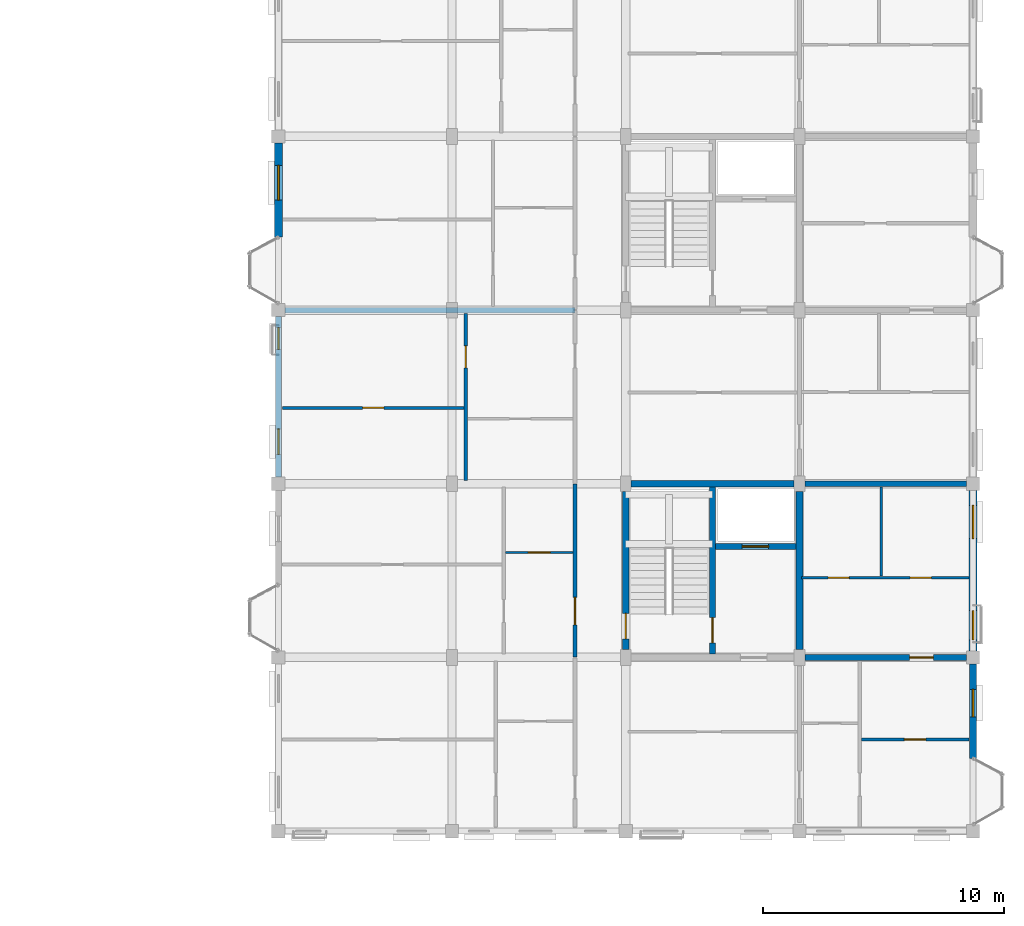
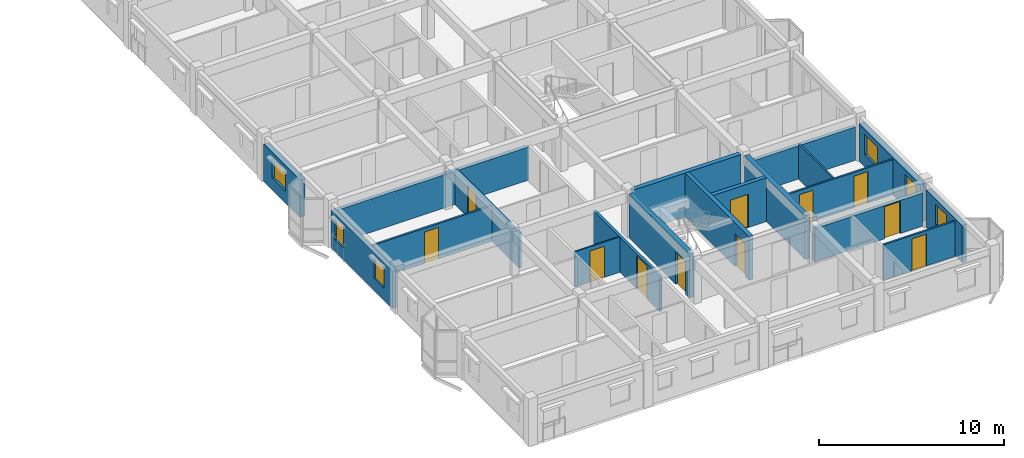
# One storey, part 61 of 79: 19 walls, 11 doors, 6 windows, 17 openings.
"""IFC4 building model written with IfcOpenShell, lengths in metres."""

from ifc_helpers import new_model, si_unit, direction, frame, frame_2d, origin, place, context, subcontext, project, spatial, rectangle, extrude, material, layer, layer_set, type_object, element, fill, save


model = new_model("IFC4")

# Units and contexts
model_context = context("Model", 3, precision=1e-05, world=origin(), true_north=direction((0.0, 1.0)))
body_context = subcontext(model_context, "Body", "Model", "MODEL_VIEW")
ifc_project = project(units=[si_unit("LENGTHUNIT", "METRE"), si_unit("AREAUNIT", "SQUARE_METRE"), si_unit("VOLUMEUNIT", "CUBIC_METRE"), si_unit("PLANEANGLEUNIT", "RADIAN"), si_unit("MASSUNIT", "GRAM", prefix="KILO"), si_unit("THERMODYNAMICTEMPERATUREUNIT", "KELVIN"), si_unit("POWERUNIT", "WATT")], contexts=[model_context])

# Site, building, storey
site_placement = place(None, origin())
site = spatial("IfcSite", under=ifc_project, at=site_placement, CompositionType="ELEMENT")
building_placement = place(site_placement, origin())
building = spatial("IfcBuilding", under=site, at=building_placement, Name="Tavuni Mirador Residences", CompositionType="ELEMENT")
storey_placement = place(building_placement, frame((0.0, 0.0, 13.949951171875)))
storey = spatial("IfcBuildingStorey", under=building, at=storey_placement, Name="L04", CompositionType="ELEMENT", Elevation=13.949951171875)

# Wall, opening, door
ifc_material_1 = material(Name="Precast concrete C40/50", Category="concrete")
ifc_layer_1 = layer(ifc_material_1, 0.25, Name="Precast concrete C40/50", Category="concrete")
ifc_layer_set_1 = layer_set([ifc_layer_1], Name="Precast concrete C40/50")
wall_type_1 = type_object("IfcWallType", Name="WT-COR250", PredefinedType="SHEAR", material=ifc_layer_set_1)
wall_1_placement = place(storey_placement, frame((108.0, 93.739990234375, 0.0), z_axis=(0.0, 0.0, 1.0), x_axis=(0.0, 1.0, 0.0)))
wall_1 = element("IfcWall", 1, at=wall_1_placement, inside=storey, type_object=wall_type_1, Name="CWALL-C7-L04-MID", PredefinedType="SHEAR", context=body_context, shape_type="SweptSolid", body=[
    extrude(rectangle(XDim=6.919921875, YDim=0.25, at=frame_2d((3.4599609375, 0.0))), origin(), (0.0, 0.0, 1.0), 2.89013671875),
])
opening_1_placement = place(wall_1_placement, frame((0.4599609375, 0.0, 0.0)))
opening_1 = element("IfcOpeningElement", 2, at=opening_1_placement, cuts=wall_1, Name="Opening D-01", PredefinedType="OPENING", context=body_context, shape_type="SweptSolid", body=[
    extrude(rectangle(XDim=1.050048828125, YDim=2.14990234375, at=frame_2d((0.52490234375, 1.074951171875))), frame((0.0, 0.135009765625, 0.0), z_axis=(0.0, -1.0, 0.0), x_axis=(1.0, 0.0, 0.0)), (0.0, 0.0, 1.0), 0.27001953125),
])
ifc_material_2 = material(Name="Solid core iroko timber", Category="wood")
door_type_1 = type_object("IfcDoorType", Name="DT-ST1050", OperationType="NOTDEFINED", PredefinedType="DOOR", material=ifc_material_2)
door_1_placement = place(opening_1_placement, origin())
door_1 = element("IfcDoor", 3, at=door_1_placement, inside=storey, type_object=door_type_1, Name="DR-2283", OperationType="SINGLE_SWING_LEFT", OverallHeight=2.14990234375, OverallWidth=1.050048828125, PredefinedType="DOOR", context=body_context, shape_type="SweptSolid", body=[
    extrude(rectangle(XDim=1.050048828125, YDim=2.14990234375, at=frame_2d((0.52490234375, 1.074951171875))), frame((0.0, 0.02490234375, 0.0), z_axis=(0.0, -1.0, 0.0), x_axis=(1.0, 0.0, 0.0)), (0.0, 0.0, 1.0), 0.050048828125),
])
fill(opening_1, door_1)

wall_2_placement = place(storey_placement, frame((108.125, 98.199951171875, 0.0), z_axis=(0.0, 0.0, 1.0), x_axis=(1.0, 0.0, 0.0)))
wall_2 = element("IfcWall", 4, at=wall_2_placement, inside=storey, type_object=wall_type_1, Name="CWALL-C7-L04-SHF", PredefinedType="SHEAR", context=body_context, shape_type="SweptSolid", body=[
    extrude(rectangle(XDim=3.3349609375, YDim=0.25, at=frame_2d((1.66748046875, 0.0))), origin(), (0.0, 0.0, 1.0), 2.89013671875),
])
opening_2_placement = place(wall_2_placement, frame((1.10009765625, 0.0, 0.0)))
opening_2 = element("IfcOpeningElement", 5, at=opening_2_placement, cuts=wall_2, Name="Opening LD-01", PredefinedType="OPENING", context=body_context, shape_type="SweptSolid", body=[
    extrude(rectangle(XDim=1.10009765625, YDim=2.199951171875, at=frame_2d((0.550048828125, 1.10009765625))), frame((0.0, 0.135009765625, 0.0), z_axis=(0.0, -1.0, 0.0), x_axis=(1.0, 0.0, 0.0)), (0.0, 0.0, 1.0), 0.27001953125),
])
ifc_material_3 = material(Name="Structural steel S355", Category="steel")
door_type_2 = type_object("IfcDoorType", Name="DT-LD-FF", OperationType="SLIDING_TO_LEFT", PredefinedType="DOOR", material=ifc_material_3)
door_2_placement = place(opening_2_placement, origin())
door_2 = element("IfcDoor", 6, at=door_2_placement, inside=storey, type_object=door_type_2, Name="Lift landing door FL-D1 L04", OperationType="SLIDING_TO_LEFT", OverallHeight=2.199951171875, OverallWidth=1.10009765625, PredefinedType="DOOR", context=body_context, shape_type="SweptSolid", body=[
    extrude(rectangle(XDim=1.10009765625, YDim=2.199951171875, at=frame_2d((0.550048828125, 1.10009765625))), frame((0.0, 0.02490234375, 0.0), z_axis=(0.0, -1.0, 0.0), x_axis=(1.0, 0.0, 0.0)), (0.0, 0.0, 1.0), 0.050048828125),
])
fill(opening_2, door_2)

ifc_layer_2 = layer(ifc_material_1, 0.280029296875, Name="Precast concrete C40/50", Category="concrete")
ifc_layer_set_2 = layer_set([ifc_layer_2], Name="Precast concrete C40/50")
wall_type_2 = type_object("IfcWallType", Name="WT-COR280", PredefinedType="SHEAR", material=ifc_layer_set_2)
wall_3_placement = place(storey_placement, frame((104.39990234375, 93.925048828125, 0.0), z_axis=(0.0, 0.0, 1.0), x_axis=(0.0, 1.0, 0.0)))
wall_3 = element("IfcWall", 7, at=wall_3_placement, inside=storey, type_object=wall_type_2, Name="CWALL-C7-L04-W", PredefinedType="SHEAR", context=body_context, shape_type="SweptSolid", body=[
    extrude(rectangle(XDim=6.550048828125, YDim=0.280029296875, at=frame_2d((3.27490234375, 0.0))), origin(), (0.0, 0.0, 1.0), 2.89013671875),
])
opening_3_placement = place(wall_3_placement, frame((0.449951171875, 0.0, 0.0)))
opening_3 = element("IfcOpeningElement", 8, at=opening_3_placement, cuts=wall_3, Name="Opening D-01", PredefinedType="OPENING", context=body_context, shape_type="SweptSolid", body=[
    extrude(rectangle(XDim=1.050048828125, YDim=2.14990234375, at=frame_2d((0.52490234375, 1.074951171875))), frame((0.0, 0.14990234375, 0.0), z_axis=(0.0, -1.0, 0.0), x_axis=(1.0, 0.0, 0.0)), (0.0, 0.0, 1.0), 0.300048828125),
])
door_3_placement = place(opening_3_placement, origin())
door_3 = element("IfcDoor", 9, at=door_3_placement, inside=storey, type_object=door_type_1, Name="DR-2281", OperationType="SINGLE_SWING_RIGHT", OverallHeight=2.14990234375, OverallWidth=1.050048828125, PredefinedType="DOOR", context=body_context, shape_type="SweptSolid", body=[
    extrude(rectangle(XDim=1.050048828125, YDim=2.14990234375, at=frame_2d((0.52490234375, 1.074951171875))), frame((0.0, 0.02490234375, 0.0), z_axis=(0.0, -1.0, 0.0), x_axis=(1.0, 0.0, 0.0)), (0.0, 0.0, 1.0), 0.050048828125),
])
fill(opening_3, door_3)

# Walls
wall_4_placement = place(storey_placement, frame((104.625, 100.800048828125, 0.0), z_axis=(0.0, 0.0, 1.0), x_axis=(1.0, 0.0, 0.0)))
element("IfcWall", 10, at=wall_4_placement, inside=storey, type_object=wall_type_2, Name="CWALL-C7-L04-N", PredefinedType="SHEAR", context=body_context, shape_type="SweptSolid", body=[
    extrude(rectangle(XDim=6.75, YDim=0.280029296875, at=frame_2d((3.375, 0.0))), origin(), (0.0, 0.0, 1.0), 2.89013671875),
])
wall_5_placement = place(storey_placement, frame((111.60009765625, 93.925048828125, 0.0), z_axis=(0.0, 0.0, 1.0), x_axis=(0.0, 1.0, 0.0)))
element("IfcWall", 11, at=wall_5_placement, inside=storey, type_object=wall_type_2, Name="CWALL-C7-L04-E", PredefinedType="SHEAR", context=body_context, shape_type="SweptSolid", body=[
    extrude(rectangle(XDim=6.550048828125, YDim=0.280029296875, at=frame_2d((3.27490234375, 0.0))), origin(), (0.0, 0.0, 1.0), 2.89013671875),
])

# Wall, opening, door
ifc_layer_3 = layer(ifc_material_1, 0.1650390625, Name="Precast concrete C40/50", Category="concrete")
ifc_layer_set_3 = layer_set([ifc_layer_3], Name="Precast concrete C40/50")
wall_type_3 = type_object("IfcWallType", Name="WT-CORR165", PredefinedType="PARTITIONING", material=ifc_layer_set_3)
wall_6_placement = place(storey_placement, frame((102.300048828125, 93.6201171875, 0.0), z_axis=(0.0, 0.0, 1.0), x_axis=(0.0, 1.0, 0.0)))
wall_6 = element("IfcWall", 12, at=wall_6_placement, inside=storey, type_object=wall_type_3, Name="CORW-BLK-D-L04-0-01", PredefinedType="PARTITIONING", context=body_context, shape_type="SweptSolid", body=[
    extrude(rectangle(XDim=7.159912109375, YDim=0.1650390625, at=frame_2d((3.580078125, 0.0))), origin(), (0.0, 0.0, 1.0), 2.324951171875),
])
opening_4_placement = place(wall_6_placement, frame((1.330078125, 0.0, 0.0)))
opening_4 = element("IfcOpeningElement", 13, at=opening_4_placement, cuts=wall_6, Name="Opening D-20", PredefinedType="OPENING", context=body_context, shape_type="SweptSolid", body=[
    extrude(rectangle(XDim=1.139892578125, YDim=2.179931640625, at=frame_2d((0.56982421875, 1.08984375))), frame((0.0, 0.092529296875, 0.0), z_axis=(0.0, -1.0, 0.0), x_axis=(1.0, 0.0, 0.0)), (0.0, 0.0, 1.0), 0.18505859375),
])
door_type_3 = type_object("IfcDoorType", Name="DT-FD60-1140", OperationType="NOTDEFINED", PredefinedType="DOOR", material=ifc_material_2)
door_4_placement = place(opening_4_placement, origin())
door_4 = element("IfcDoor", 14, at=door_4_placement, inside=storey, type_object=door_type_3, Name="DR-2858", OperationType="SINGLE_SWING_LEFT", OverallHeight=2.179931640625, OverallWidth=1.139892578125, PredefinedType="DOOR", context=body_context, shape_type="SweptSolid", body=[
    extrude(rectangle(XDim=1.139892578125, YDim=2.179931640625, at=frame_2d((0.56982421875, 1.08984375))), frame((0.0, 0.02490234375, 0.0), z_axis=(0.0, -1.0, 0.0), x_axis=(1.0, 0.0, 0.0)), (0.0, 0.0, 1.0), 0.050048828125),
])
fill(opening_4, door_4)

# Wall, opening, window
ifc_layer_4 = layer(ifc_material_1, 0.330078125, Name="Precast concrete C40/50", Category="concrete")
ifc_layer_set_4 = layer_set([ifc_layer_4], Name="Precast concrete C40/50")
wall_type_4 = type_object("IfcWallType", Name="WT-EXT-COR330", PredefinedType="SOLIDWALL", material=ifc_layer_set_4)
wall_7_placement = place(storey_placement, frame((90.0, 114.925048828125, 0.0), z_axis=(0.0, 0.0, 1.0), x_axis=(0.0, -1.0, 0.0)))
wall_7 = element("IfcWall", 15, at=wall_7_placement, inside=storey, type_object=wall_type_4, Name="EW-BLK-D-L04-W03", PredefinedType="SOLIDWALL", context=body_context, shape_type="SweptSolid", body=[
    extrude(rectangle(XDim=3.905029296875, YDim=0.330078125, at=frame_2d((1.95263671875, 0.0))), origin(), (0.0, 0.0, 1.0), 2.4599609375),
])
opening_5_placement = place(wall_7_placement, frame((0.922607421875, 0.0, 0.780029296875)))
opening_5 = element("IfcOpeningElement", 16, at=opening_5_placement, cuts=wall_7, Name="Opening WN-16", PredefinedType="OPENING", context=body_context, shape_type="SweptSolid", body=[
    extrude(rectangle(XDim=1.43994140625, YDim=1.260009765625, at=frame_2d((0.719970703125, 0.6298828125))), frame((0.0, 0.175048828125, 0.0), z_axis=(0.0, -1.0, 0.0), x_axis=(1.0, 0.0, 0.0)), (0.0, 0.0, 1.0), 0.35009765625),
])
ifc_material_4 = material(Name="Laminated solar-control glass", Category="glass")
window_type_1 = type_object("IfcWindowType", Name="WNT-16", PartitioningType="SINGLE_PANEL", PredefinedType="WINDOW", material=ifc_material_4)
window_1_placement = place(opening_5_placement, origin())
window_1 = element("IfcWindow", 17, at=window_1_placement, inside=storey, type_object=window_type_1, Name="WIN-1601", OverallHeight=1.260009765625, OverallWidth=1.43994140625, PartitioningType="SINGLE_PANEL", PredefinedType="WINDOW", context=body_context, shape_type="SweptSolid", body=[
    extrude(rectangle(XDim=1.43994140625, YDim=1.260009765625, at=frame_2d((0.719970703125, 0.6298828125))), frame((0.0, 0.030029296875, 0.0), z_axis=(0.0, -1.0, 0.0), x_axis=(1.0, 0.0, 0.0)), (0.0, 0.0, 1.0), 0.06005859375),
])
fill(opening_5, window_1)

# Wall, openings, windows
ifc_material_5 = material(Name="Sgraffito lime-rendered precast concrete C40/50", Category="concrete")
ifc_layer_5 = layer(ifc_material_5, 0.2451171875, Name="Sgraffito lime-rendered precast concrete C40/50", Category="concrete")
ifc_layer_set_5 = layer_set([ifc_layer_5], Name="Sgraffito lime-rendered precast concrete C40/50")
wall_type_5 = type_object("IfcWallType", Name="WT-EXT-PC245", PredefinedType="SOLIDWALL", material=ifc_layer_set_5)
wall_8_placement = place(storey_placement, frame((90.0, 107.72509765625, 0.0), z_axis=(0.0, 0.0, 1.0), x_axis=(0.0, -1.0, 0.0)))
wall_8 = element("IfcWall", 18, at=wall_8_placement, inside=storey, type_object=wall_type_5, Name="EW-BLK-D-L04-W02", PredefinedType="SOLIDWALL", context=body_context, shape_type="SweptSolid", body=[
    extrude(rectangle(XDim=6.650146484375, YDim=0.2451171875, at=frame_2d((3.3251953125, 0.0))), origin(), (0.0, 0.0, 1.0), 2.4599609375),
])
opening_6_placement = place(wall_8_placement, frame((0.449951171875, 0.0, 0.780029296875)))
opening_6 = element("IfcOpeningElement", 19, at=opening_6_placement, cuts=wall_8, Name="Opening WN-17", PredefinedType="OPENING", context=body_context, shape_type="SweptSolid", body=[
    extrude(rectangle(XDim=0.89990234375, YDim=1.360107421875, at=frame_2d((0.449951171875, 0.68017578125))), frame((0.0, 0.132568359375, 0.0), z_axis=(0.0, -1.0, 0.0), x_axis=(1.0, 0.0, 0.0)), (0.0, 0.0, 1.0), 0.26513671875),
])
opening_7_placement = place(wall_8_placement, frame((4.64990234375, 0.0, 0.780029296875)))
opening_7 = element("IfcOpeningElement", 20, at=opening_7_placement, cuts=wall_8, Name="Opening WN-19", PredefinedType="OPENING", context=body_context, shape_type="SweptSolid", body=[
    extrude(rectangle(XDim=1.06005859375, YDim=1.360107421875, at=frame_2d((0.530029296875, 0.68017578125))), frame((0.0, 0.132568359375, 0.0), z_axis=(0.0, -1.0, 0.0), x_axis=(1.0, 0.0, 0.0)), (0.0, 0.0, 1.0), 0.26513671875),
])
window_type_2 = type_object("IfcWindowType", Name="WNT-17", PartitioningType="SINGLE_PANEL", PredefinedType="WINDOW", material=ifc_material_4)
window_2_placement = place(opening_6_placement, origin())
window_2 = element("IfcWindow", 21, at=window_2_placement, inside=storey, type_object=window_type_2, Name="WIN-1602", OverallHeight=1.360107421875, OverallWidth=0.89990234375, PartitioningType="SINGLE_PANEL", PredefinedType="WINDOW", context=body_context, shape_type="SweptSolid", body=[
    extrude(rectangle(XDim=0.89990234375, YDim=1.360107421875, at=frame_2d((0.449951171875, 0.68017578125))), frame((0.0, 0.030029296875, 0.0), z_axis=(0.0, -1.0, 0.0), x_axis=(1.0, 0.0, 0.0)), (0.0, 0.0, 1.0), 0.06005859375),
])
fill(opening_6, window_2)
window_type_3 = type_object("IfcWindowType", Name="WNT-19", PartitioningType="SINGLE_PANEL", PredefinedType="WINDOW", material=ifc_material_4)
window_3_placement = place(opening_7_placement, origin())
window_3 = element("IfcWindow", 22, at=window_3_placement, inside=storey, type_object=window_type_3, Name="WIN-1603", OverallHeight=1.360107421875, OverallWidth=1.06005859375, PartitioningType="SINGLE_PANEL", PredefinedType="WINDOW", context=body_context, shape_type="SweptSolid", body=[
    extrude(rectangle(XDim=1.06005859375, YDim=1.360107421875, at=frame_2d((0.530029296875, 0.68017578125))), frame((0.0, 0.030029296875, 0.0), z_axis=(0.0, -1.0, 0.0), x_axis=(1.0, 0.0, 0.0)), (0.0, 0.0, 1.0), 0.06005859375),
])
fill(opening_7, window_3)

# Wall, opening, window
ifc_layer_6 = layer(ifc_material_5, 0.27490234375, Name="Sgraffito lime-rendered precast concrete C40/50", Category="concrete")
ifc_layer_set_6 = layer_set([ifc_layer_6], Name="Sgraffito lime-rendered precast concrete C40/50")
wall_type_6 = type_object("IfcWallType", Name="WT-EXT-PC275", PredefinedType="SOLIDWALL", material=ifc_layer_set_6)
wall_9_placement = place(storey_placement, frame((118.800048828125, 89.419921875, 0.0), z_axis=(0.0, 0.0, 1.0), x_axis=(0.0, 1.0, 0.0)))
wall_9 = element("IfcWall", 23, at=wall_9_placement, inside=storey, type_object=wall_type_6, Name="EW-BLK-D-L04-E00", PredefinedType="SOLIDWALL", context=body_context, shape_type="SweptSolid", body=[
    extrude(rectangle(XDim=3.905029296875, YDim=0.27490234375, at=frame_2d((1.95263671875, 0.0))), origin(), (0.0, 0.0, 1.0), 2.4599609375),
])
opening_8_placement = place(wall_9_placement, frame((1.717529296875, 0.0, 0.780029296875)))
opening_8 = element("IfcOpeningElement", 24, at=opening_8_placement, cuts=wall_9, Name="Opening WN-20", PredefinedType="OPENING", context=body_context, shape_type="SweptSolid", body=[
    extrude(rectangle(XDim=1.139892578125, YDim=1.360107421875, at=frame_2d((0.56982421875, 0.68017578125))), frame((0.0, 0.1474609375, 0.0), z_axis=(0.0, -1.0, 0.0), x_axis=(1.0, 0.0, 0.0)), (0.0, 0.0, 1.0), 0.294921875),
])
window_type_4 = type_object("IfcWindowType", Name="WNT-20", PartitioningType="SINGLE_PANEL", PredefinedType="WINDOW", material=ifc_material_4)
window_4_placement = place(opening_8_placement, origin())
window_4 = element("IfcWindow", 25, at=window_4_placement, inside=storey, type_object=window_type_4, Name="WIN-1575", OverallHeight=1.360107421875, OverallWidth=1.139892578125, PartitioningType="SINGLE_PANEL", PredefinedType="WINDOW", context=body_context, shape_type="SweptSolid", body=[
    extrude(rectangle(XDim=1.139892578125, YDim=1.360107421875, at=frame_2d((0.56982421875, 0.68017578125))), frame((0.0, 0.030029296875, 0.0), z_axis=(0.0, -1.0, 0.0), x_axis=(1.0, 0.0, 0.0)), (0.0, 0.0, 1.0), 0.06005859375),
])
fill(opening_8, window_4)

# Wall, openings, windows
ifc_layer_7 = layer(ifc_material_5, 0.344970703125, Name="Sgraffito lime-rendered precast concrete C40/50", Category="concrete")
ifc_layer_set_7 = layer_set([ifc_layer_7], Name="Sgraffito lime-rendered precast concrete C40/50")
wall_type_7 = type_object("IfcWallType", Name="WT-EXT-PTY345", PredefinedType="SOLIDWALL", material=ifc_layer_set_7)
wall_10_placement = place(storey_placement, frame((118.800048828125, 93.875, 0.0), z_axis=(0.0, 0.0, 1.0), x_axis=(0.0, 1.0, 0.0)))
wall_10 = element("IfcWall", 26, at=wall_10_placement, inside=storey, type_object=wall_type_7, Name="EW-BLK-D-L04-E01", PredefinedType="SOLIDWALL", context=body_context, shape_type="SweptSolid", body=[
    extrude(rectangle(XDim=6.64990234375, YDim=0.344970703125, at=frame_2d((3.324951171875, 0.0))), origin(), (0.0, 0.0, 1.0), 2.4599609375),
])
opening_9_placement = place(wall_10_placement, frame((0.449951171875, 0.0, 0.780029296875)))
opening_9 = element("IfcOpeningElement", 27, at=opening_9_placement, cuts=wall_10, Name="Opening WN-21", PredefinedType="OPENING", context=body_context, shape_type="SweptSolid", body=[
    extrude(rectangle(XDim=1.219970703125, YDim=1.360107421875, at=frame_2d((0.60986328125, 0.68017578125))), frame((0.0, 0.1826171875, 0.0), z_axis=(0.0, -1.0, 0.0), x_axis=(1.0, 0.0, 0.0)), (0.0, 0.0, 1.0), 0.364990234375),
])
opening_10_placement = place(wall_10_placement, frame((4.64990234375, 0.0, 0.780029296875)))
opening_10 = element("IfcOpeningElement", 28, at=opening_10_placement, cuts=wall_10, Name="Opening WN-23", PredefinedType="OPENING", context=body_context, shape_type="SweptSolid", body=[
    extrude(rectangle(XDim=1.3798828125, YDim=1.360107421875, at=frame_2d((0.68994140625, 0.68017578125))), frame((0.0, 0.1826171875, 0.0), z_axis=(0.0, -1.0, 0.0), x_axis=(1.0, 0.0, 0.0)), (0.0, 0.0, 1.0), 0.364990234375),
])
window_type_5 = type_object("IfcWindowType", Name="WNT-21", PartitioningType="SINGLE_PANEL", PredefinedType="WINDOW", material=ifc_material_4)
window_5_placement = place(opening_9_placement, origin())
window_5 = element("IfcWindow", 29, at=window_5_placement, inside=storey, type_object=window_type_5, Name="WIN-1576", OverallHeight=1.360107421875, OverallWidth=1.219970703125, PartitioningType="SINGLE_PANEL", PredefinedType="WINDOW", context=body_context, shape_type="SweptSolid", body=[
    extrude(rectangle(XDim=1.219970703125, YDim=1.360107421875, at=frame_2d((0.60986328125, 0.68017578125))), frame((0.0, 0.030029296875, 0.0), z_axis=(0.0, -1.0, 0.0), x_axis=(1.0, 0.0, 0.0)), (0.0, 0.0, 1.0), 0.06005859375),
])
fill(opening_9, window_5)
window_type_6 = type_object("IfcWindowType", Name="WNT-23", PartitioningType="SINGLE_PANEL", PredefinedType="WINDOW", material=ifc_material_4)
window_6_placement = place(opening_10_placement, origin())
window_6 = element("IfcWindow", 30, at=window_6_placement, inside=storey, type_object=window_type_6, Name="WIN-1577", OverallHeight=1.360107421875, OverallWidth=1.3798828125, PartitioningType="SINGLE_PANEL", PredefinedType="WINDOW", context=body_context, shape_type="SweptSolid", body=[
    extrude(rectangle(XDim=1.3798828125, YDim=1.360107421875, at=frame_2d((0.68994140625, 0.68017578125))), frame((0.0, 0.030029296875, 0.0), z_axis=(0.0, -1.0, 0.0), x_axis=(1.0, 0.0, 0.0)), (0.0, 0.0, 1.0), 0.06005859375),
])
fill(opening_10, window_6)

# Wall, opening, door
ifc_material_6 = material(Name="Acoustic gypsum and concrete block partition", Category="concrete")
ifc_layer_8 = layer(ifc_material_6, 0.094970703125, Name="Acoustic gypsum and concrete block partition", Category="concrete")
ifc_layer_set_8 = layer_set([ifc_layer_8], Name="Acoustic gypsum and concrete block partition")
wall_type_8 = type_object("IfcWallType", Name="WT-PART095", PredefinedType="PARTITIONING", material=ifc_layer_set_8)
wall_11_placement = place(storey_placement, frame((99.419921875, 97.949951171875, 0.0), z_axis=(0.0, 0.0, 1.0), x_axis=(1.0, 0.0, 0.0)))
wall_11 = element("IfcWall", 31, at=wall_11_placement, inside=storey, type_object=wall_type_8, Name="PW-BLK-D-L04-W01-IN1", PredefinedType="PARTITIONING", context=body_context, shape_type="SweptSolid", body=[
    extrude(rectangle(XDim=2.7900390625, YDim=0.094970703125, at=frame_2d((1.39501953125, 0.0))), origin(), (0.0, 0.0, 1.0), 2.324951171875),
])
opening_11_placement = place(wall_11_placement, frame((0.945068359375, 0.0, 0.0)))
opening_11 = element("IfcOpeningElement", 32, at=opening_11_placement, cuts=wall_11, Name="Opening D-09", PredefinedType="OPENING", context=body_context, shape_type="SweptSolid", body=[
    extrude(rectangle(XDim=0.89990234375, YDim=2.050048828125, at=frame_2d((0.449951171875, 1.02490234375))), frame((0.0, 0.0576171875, 0.0), z_axis=(0.0, -1.0, 0.0), x_axis=(1.0, 0.0, 0.0)), (0.0, 0.0, 1.0), 0.114990234375),
])
door_type_4 = type_object("IfcDoorType", Name="DT-WC900", OperationType="NOTDEFINED", PredefinedType="DOOR", material=ifc_material_2)
door_5_placement = place(opening_11_placement, origin())
door_5 = element("IfcDoor", 33, at=door_5_placement, inside=storey, type_object=door_type_4, Name="DR-4438", OperationType="SINGLE_SWING_RIGHT", OverallHeight=2.050048828125, OverallWidth=0.89990234375, PredefinedType="DOOR", context=body_context, shape_type="SweptSolid", body=[
    extrude(rectangle(XDim=0.89990234375, YDim=2.050048828125, at=frame_2d((0.449951171875, 1.02490234375))), frame((0.0, 0.02490234375, 0.0), z_axis=(0.0, -1.0, 0.0), x_axis=(1.0, 0.0, 0.0)), (0.0, 0.0, 1.0), 0.050048828125),
])
fill(opening_11, door_5)

# Wall
ifc_layer_9 = layer(ifc_material_6, 0.10498046875, Name="Acoustic gypsum and concrete block partition", Category="concrete")
ifc_layer_set_9 = layer_set([ifc_layer_9], Name="Acoustic gypsum and concrete block partition")
wall_type_9 = type_object("IfcWallType", Name="WT-PART105", PredefinedType="PARTITIONING", material=ifc_layer_set_9)
wall_12_placement = place(storey_placement, frame((115.0, 96.969970703125, 0.0), z_axis=(0.0, 0.0, 1.0), x_axis=(0.0, 1.0, 0.0)))
element("IfcWall", 34, at=wall_12_placement, inside=storey, type_object=wall_type_9, Name="PW-BLK-D-L04-PF01-V", PredefinedType="PARTITIONING", context=body_context, shape_type="SweptSolid", body=[
    extrude(rectangle(XDim=3.68994140625, YDim=0.10498046875, at=frame_2d((1.844970703125, 0.0))), origin(), (0.0, 0.0, 1.0), 2.324951171875),
])

# Wall, opening, door
ifc_layer_10 = layer(ifc_material_6, 0.114990234375, Name="Acoustic gypsum and concrete block partition", Category="concrete")
ifc_layer_set_10 = layer_set([ifc_layer_10], Name="Acoustic gypsum and concrete block partition")
wall_type_10 = type_object("IfcWallType", Name="WT-PART115", PredefinedType="PARTITIONING", material=ifc_layer_set_10)
wall_13_placement = place(storey_placement, frame((114.169921875, 90.199951171875, 0.0), z_axis=(0.0, 0.0, 1.0), x_axis=(1.0, 0.0, 0.0)))
wall_13 = element("IfcWall", 35, at=wall_13_placement, inside=storey, type_object=wall_type_10, Name="PW-BLK-D-L04-E00-OUT", PredefinedType="PARTITIONING", context=body_context, shape_type="SweptSolid", body=[
    extrude(rectangle(XDim=4.455078125, YDim=0.114990234375, at=frame_2d((2.2275390625, 0.0))), origin(), (0.0, 0.0, 1.0), 2.324951171875),
])
opening_12_placement = place(wall_13_placement, frame((1.777587890625, 0.0, 0.0)))
opening_12 = element("IfcOpeningElement", 36, at=opening_12_placement, cuts=wall_13, Name="Opening D-07", PredefinedType="OPENING", context=body_context, shape_type="SweptSolid", body=[
    extrude(rectangle(XDim=0.89990234375, YDim=2.10009765625, at=frame_2d((0.449951171875, 1.050048828125))), frame((0.0, 0.0673828125, 0.0), z_axis=(0.0, -1.0, 0.0), x_axis=(1.0, 0.0, 0.0)), (0.0, 0.0, 1.0), 0.135009765625),
])
door_type_5 = type_object("IfcDoorType", Name="DT-BED900", OperationType="NOTDEFINED", PredefinedType="DOOR", material=ifc_material_2)
door_6_placement = place(opening_12_placement, origin())
door_6 = element("IfcDoor", 37, at=door_6_placement, inside=storey, type_object=door_type_5, Name="DR-4434", OperationType="SINGLE_SWING_LEFT", OverallHeight=2.10009765625, OverallWidth=0.89990234375, PredefinedType="DOOR", context=body_context, shape_type="SweptSolid", body=[
    extrude(rectangle(XDim=0.89990234375, YDim=2.10009765625, at=frame_2d((0.449951171875, 1.050048828125))), frame((0.0, 0.02490234375, 0.0), z_axis=(0.0, -1.0, 0.0), x_axis=(1.0, 0.0, 0.0)), (0.0, 0.0, 1.0), 0.050048828125),
])
fill(opening_12, door_6)

# Wall, openings, doors
wall_14_placement = place(storey_placement, frame((111.68994140625, 96.89990234375, 0.0), z_axis=(0.0, 0.0, 1.0), x_axis=(1.0, 0.0, 0.0)))
wall_14 = element("IfcWall", 38, at=wall_14_placement, inside=storey, type_object=wall_type_10, Name="PW-BLK-D-L04-PF01-H", PredefinedType="PARTITIONING", context=body_context, shape_type="SweptSolid", body=[
    extrude(rectangle(XDim=6.93505859375, YDim=0.114990234375, at=frame_2d((3.467529296875, 0.0))), origin(), (0.0, 0.0, 1.0), 2.324951171875),
])
opening_13_placement = place(wall_14_placement, frame((1.10009765625, 0.0, 0.0)))
opening_13 = element("IfcOpeningElement", 39, at=opening_13_placement, cuts=wall_14, Name="Opening D-10", PredefinedType="OPENING", context=body_context, shape_type="SweptSolid", body=[
    extrude(rectangle(XDim=0.8701171875, YDim=2.050048828125, at=frame_2d((0.43505859375, 1.02490234375))), frame((0.0, 0.0673828125, 0.0), z_axis=(0.0, -1.0, 0.0), x_axis=(1.0, 0.0, 0.0)), (0.0, 0.0, 1.0), 0.135009765625),
])
opening_14_placement = place(wall_14_placement, frame((4.5, 0.0, 0.0)))
opening_14 = element("IfcOpeningElement", 40, at=opening_14_placement, cuts=wall_14, Name="Opening D-08", PredefinedType="OPENING", context=body_context, shape_type="SweptSolid", body=[
    extrude(rectangle(XDim=0.8798828125, YDim=2.080078125, at=frame_2d((0.43994140625, 1.0400390625))), frame((0.0, 0.0673828125, 0.0), z_axis=(0.0, -1.0, 0.0), x_axis=(1.0, 0.0, 0.0)), (0.0, 0.0, 1.0), 0.135009765625),
])
door_type_6 = type_object("IfcDoorType", Name="DT-BED880", OperationType="NOTDEFINED", PredefinedType="DOOR", material=ifc_material_2)
door_7_placement = place(opening_14_placement, origin())
door_7 = element("IfcDoor", 41, at=door_7_placement, inside=storey, type_object=door_type_6, Name="DR-4441", OperationType="SINGLE_SWING_RIGHT", OverallHeight=2.080078125, OverallWidth=0.8798828125, PredefinedType="DOOR", context=body_context, shape_type="SweptSolid", body=[
    extrude(rectangle(XDim=0.8798828125, YDim=2.080078125, at=frame_2d((0.43994140625, 1.0400390625))), frame((0.0, 0.02490234375, 0.0), z_axis=(0.0, -1.0, 0.0), x_axis=(1.0, 0.0, 0.0)), (0.0, 0.0, 1.0), 0.050048828125),
])
fill(opening_14, door_7)
door_type_7 = type_object("IfcDoorType", Name="DT-WC870", OperationType="NOTDEFINED", PredefinedType="DOOR", material=ifc_material_2)
door_8_placement = place(opening_13_placement, origin())
door_8 = element("IfcDoor", 42, at=door_8_placement, inside=storey, type_object=door_type_7, Name="DR-4440", OperationType="SINGLE_SWING_LEFT", OverallHeight=2.050048828125, OverallWidth=0.8701171875, PredefinedType="DOOR", context=body_context, shape_type="SweptSolid", body=[
    extrude(rectangle(XDim=0.8701171875, YDim=2.050048828125, at=frame_2d((0.43505859375, 1.02490234375))), frame((0.0, 0.02490234375, 0.0), z_axis=(0.0, -1.0, 0.0), x_axis=(1.0, 0.0, 0.0)), (0.0, 0.0, 1.0), 0.050048828125),
])
fill(opening_13, door_8)

# Wall, opening, door
ifc_layer_11 = layer(ifc_material_6, 0.125, Name="Acoustic gypsum and concrete block partition", Category="concrete")
ifc_layer_set_11 = layer_set([ifc_layer_11], Name="Acoustic gypsum and concrete block partition")
wall_type_11 = type_object("IfcWallType", Name="WT-PART125", PredefinedType="PARTITIONING", material=ifc_layer_set_11)
wall_15_placement = place(storey_placement, frame((90.175048828125, 103.949951171875, 0.0), z_axis=(0.0, 0.0, 1.0), x_axis=(1.0, 0.0, 0.0)))
wall_15 = element("IfcWall", 43, at=wall_15_placement, inside=storey, type_object=wall_type_11, Name="PW-BLK-D-L04-W02-OUT", PredefinedType="PARTITIONING", context=body_context, shape_type="SweptSolid", body=[
    extrude(rectangle(XDim=7.52490234375, YDim=0.125, at=frame_2d((3.762451171875, 0.0))), origin(), (0.0, 0.0, 1.0), 2.324951171875),
])
opening_15_placement = place(wall_15_placement, frame((3.322509765625, 0.0, 0.0)))
opening_15 = element("IfcOpeningElement", 44, at=opening_15_placement, cuts=wall_15, Name="Opening D-08", PredefinedType="OPENING", context=body_context, shape_type="SweptSolid", body=[
    extrude(rectangle(XDim=0.8798828125, YDim=2.080078125, at=frame_2d((0.43994140625, 1.0400390625))), frame((0.0, 0.072509765625, 0.0), z_axis=(0.0, -1.0, 0.0), x_axis=(1.0, 0.0, 0.0)), (0.0, 0.0, 1.0), 0.14501953125),
])
door_9_placement = place(opening_15_placement, origin())
door_9 = element("IfcDoor", 45, at=door_9_placement, inside=storey, type_object=door_type_6, Name="DR-4443", OperationType="SINGLE_SWING_RIGHT", OverallHeight=2.080078125, OverallWidth=0.8798828125, PredefinedType="DOOR", context=body_context, shape_type="SweptSolid", body=[
    extrude(rectangle(XDim=0.8798828125, YDim=2.080078125, at=frame_2d((0.43994140625, 1.0400390625))), frame((0.0, 0.02490234375, 0.0), z_axis=(0.0, -1.0, 0.0), x_axis=(1.0, 0.0, 0.0)), (0.0, 0.0, 1.0), 0.050048828125),
])
fill(opening_15, door_9)

ifc_layer_12 = layer(ifc_material_6, 0.14990234375, Name="Acoustic gypsum and concrete block partition", Category="concrete")
ifc_layer_set_12 = layer_set([ifc_layer_12], Name="Acoustic gypsum and concrete block partition")
wall_type_12 = type_object("IfcWallType", Name="WT-PART150", PredefinedType="PARTITIONING", material=ifc_layer_set_12)
wall_16_placement = place(storey_placement, frame((97.77001953125, 100.93994140625, 0.0), z_axis=(0.0, 0.0, 1.0), x_axis=(0.0, 1.0, 0.0)))
wall_16 = element("IfcWall", 46, at=wall_16_placement, inside=storey, type_object=wall_type_12, Name="PW-BLK-D-L04-W02-MID", PredefinedType="PARTITIONING", context=body_context, shape_type="SweptSolid", body=[
    extrude(rectangle(XDim=6.920166015625, YDim=0.14990234375, at=frame_2d((3.4599609375, 0.0))), origin(), (0.0, 0.0, 1.0), 2.324951171875),
])
opening_16_placement = place(wall_16_placement, frame((4.659912109375, 0.0, 0.0)))
opening_16 = element("IfcOpeningElement", 47, at=opening_16_placement, cuts=wall_16, Name="Opening D-06", PredefinedType="OPENING", context=body_context, shape_type="SweptSolid", body=[
    extrude(rectangle(XDim=0.919921875, YDim=2.10009765625, at=frame_2d((0.4599609375, 1.050048828125))), frame((0.0, 0.0849609375, 0.0), z_axis=(0.0, -1.0, 0.0), x_axis=(1.0, 0.0, 0.0)), (0.0, 0.0, 1.0), 0.169921875),
])
door_type_8 = type_object("IfcDoorType", Name="DT-INT920", OperationType="NOTDEFINED", PredefinedType="DOOR", material=ifc_material_2)
door_10_placement = place(opening_16_placement, origin())
door_10 = element("IfcDoor", 48, at=door_10_placement, inside=storey, type_object=door_type_8, Name="DR-4445", OperationType="SINGLE_SWING_RIGHT", OverallHeight=2.10009765625, OverallWidth=0.919921875, PredefinedType="DOOR", context=body_context, shape_type="SweptSolid", body=[
    extrude(rectangle(XDim=0.919921875, YDim=2.10009765625, at=frame_2d((0.4599609375, 1.050048828125))), frame((0.0, 0.02490234375, 0.0), z_axis=(0.0, -1.0, 0.0), x_axis=(1.0, 0.0, 0.0)), (0.0, 0.0, 1.0), 0.050048828125),
])
fill(opening_16, door_10)

ifc_layer_13 = layer(ifc_material_1, 0.235107421875, Name="Precast concrete C40/50", Category="concrete")
ifc_layer_set_13 = layer_set([ifc_layer_13], Name="Precast concrete C40/50")
wall_type_13 = type_object("IfcWallType", Name="WT-XW235", PredefinedType="SOLIDWALL", material=ifc_layer_set_13)
wall_17_placement = place(storey_placement, frame((111.824951171875, 93.60009765625, 0.0), z_axis=(0.0, 0.0, 1.0), x_axis=(1.0, 0.0, 0.0)))
wall_17 = element("IfcWall", 49, at=wall_17_placement, inside=storey, type_object=wall_type_13, Name="XW-BLK-D-L04-E-01", PredefinedType="SOLIDWALL", context=body_context, shape_type="SweptSolid", body=[
    extrude(rectangle(XDim=6.699951171875, YDim=0.235107421875, at=frame_2d((3.35009765625, 0.0))), origin(), (0.0, 0.0, 1.0), 2.18994140625),
])
opening_17_placement = place(wall_17_placement, frame((4.35009765625, 0.0, 0.0)))
opening_17 = element("IfcOpeningElement", 50, at=opening_17_placement, cuts=wall_17, Name="Opening D-04", PredefinedType="OPENING", context=body_context, shape_type="SweptSolid", body=[
    extrude(rectangle(XDim=0.97998046875, YDim=2.1201171875, at=frame_2d((0.489990234375, 1.06005859375))), frame((0.0, 0.12744140625, 0.0), z_axis=(0.0, -1.0, 0.0), x_axis=(1.0, 0.0, 0.0)), (0.0, 0.0, 1.0), 0.255126953125),
])
door_type_9 = type_object("IfcDoorType", Name="DT-FD60-980", OperationType="NOTDEFINED", PredefinedType="DOOR", material=ifc_material_2)
door_11_placement = place(opening_17_placement, origin())
door_11 = element("IfcDoor", 51, at=door_11_placement, inside=storey, type_object=door_type_9, Name="DR-4766", OperationType="SINGLE_SWING_LEFT", OverallHeight=2.1201171875, OverallWidth=0.97998046875, PredefinedType="DOOR", context=body_context, shape_type="SweptSolid", body=[
    extrude(rectangle(XDim=0.97998046875, YDim=2.1201171875, at=frame_2d((0.489990234375, 1.06005859375))), frame((0.0, 0.02490234375, 0.0), z_axis=(0.0, -1.0, 0.0), x_axis=(1.0, 0.0, 0.0)), (0.0, 0.0, 1.0), 0.050048828125),
])
fill(opening_17, door_11)

# Walls
wall_18_placement = place(storey_placement, frame((111.824951171875, 100.800048828125, 0.0), z_axis=(0.0, 0.0, 1.0), x_axis=(1.0, 0.0, 0.0)))
element("IfcWall", 52, at=wall_18_placement, inside=storey, type_object=wall_type_13, Name="XW-BLK-D-L04-E-02", PredefinedType="SOLIDWALL", context=body_context, shape_type="SweptSolid", body=[
    extrude(rectangle(XDim=6.699951171875, YDim=0.235107421875, at=frame_2d((3.35009765625, 0.0))), origin(), (0.0, 0.0, 1.0), 2.18994140625),
])
wall_19_placement = place(storey_placement, frame((90.27490234375, 108.0, 0.0), z_axis=(0.0, 0.0, 1.0), x_axis=(1.0, 0.0, 0.0)))
element("IfcWall", 53, at=wall_19_placement, inside=storey, type_object=wall_type_13, Name="XW-BLK-D-L04-W-03", PredefinedType="SOLIDWALL", context=body_context, shape_type="SweptSolid", body=[
    extrude(rectangle(XDim=12.025146484375, YDim=0.235107421875, at=frame_2d((6.0126953125, 0.0))), origin(), (0.0, 0.0, 1.0), 2.18994140625),
])

save(model, "model.ifc")
